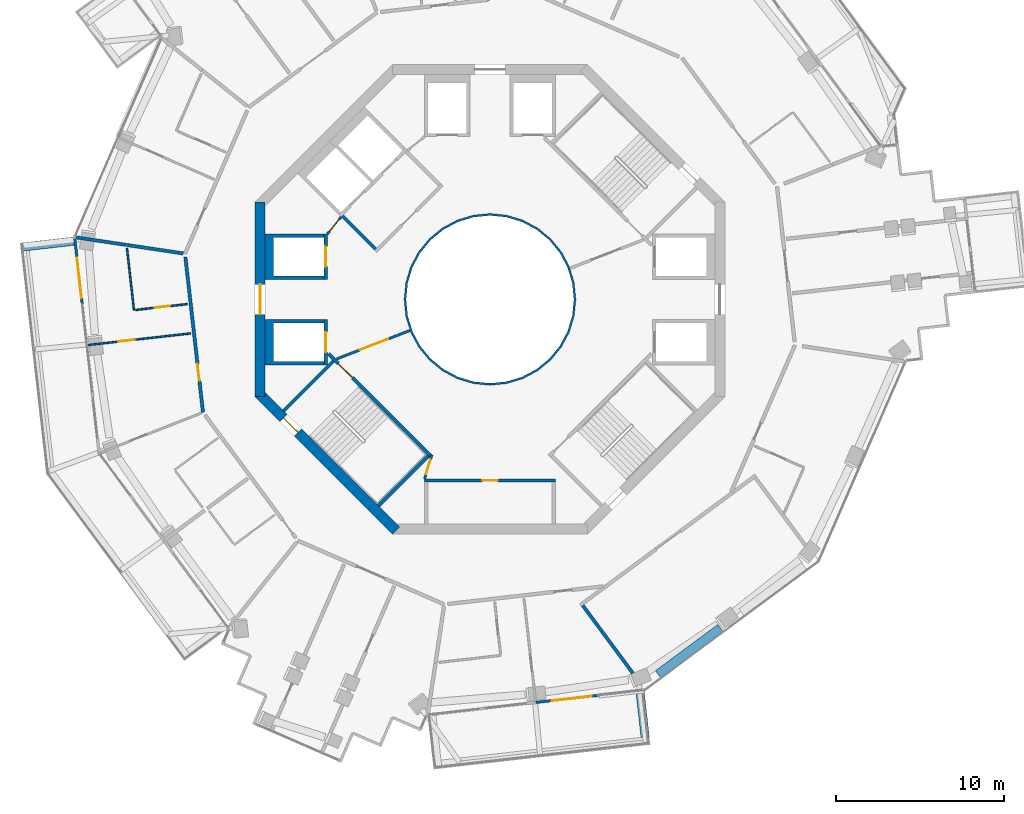
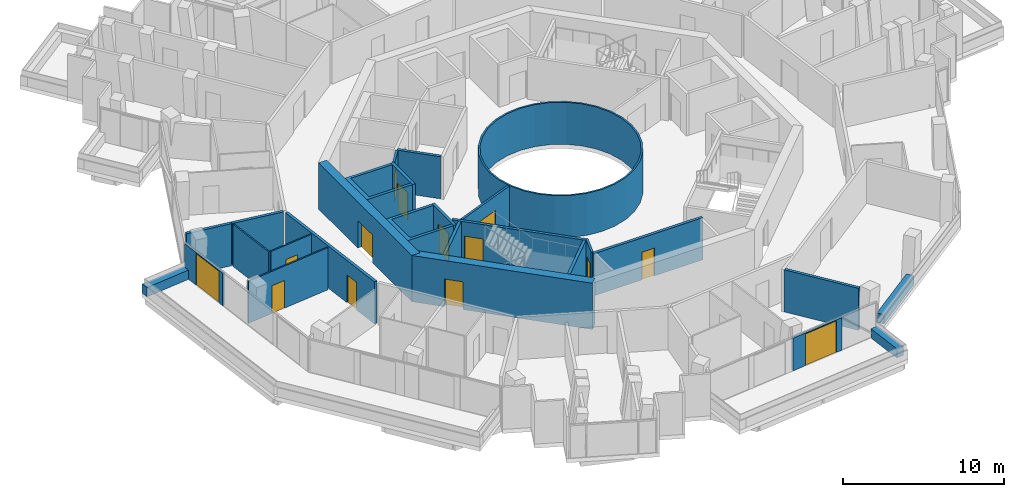
# One storey, part 16 of 23: 27 walls, 14 doors, 14 openings.
"""IFC4 building model written with IfcOpenShell, lengths in metres."""

from ifc_helpers import new_model, si_unit, direction, frame, frame_2d, origin, place, context, subcontext, project, spatial, polyline, rectangle, outline, extrude, material, layer, layer_set, type_object, element, fill, save


model = new_model("IFC4")

# Units and contexts
model_context = context("Model", 3, precision=1e-05, world=origin(), true_north=direction((0.0, 1.0)))
body_context = subcontext(model_context, "Body", "Model", "MODEL_VIEW")
ifc_project = project(units=[si_unit("LENGTHUNIT", "METRE"), si_unit("AREAUNIT", "SQUARE_METRE"), si_unit("VOLUMEUNIT", "CUBIC_METRE"), si_unit("PLANEANGLEUNIT", "RADIAN"), si_unit("MASSUNIT", "GRAM", prefix="KILO")], contexts=[model_context])

# Site, building, storey
site_placement = place(None, origin())
site = spatial("IfcSite", under=ifc_project, at=site_placement, CompositionType="ELEMENT")
building_placement = place(site_placement, origin())
building = spatial("IfcBuilding", under=site, at=building_placement, Name="Verdalira Terraces Hotel", CompositionType="ELEMENT")
storey_placement = place(building_placement, frame((0.0, 0.0, 183.5)))
storey = spatial("IfcBuildingStorey", under=building, at=storey_placement, Name="L44", CompositionType="ELEMENT", Elevation=183.5)

# Walls
ifc_material_1 = material(Name="Fire-resisting glass EI 180", Category="glass")
ifc_layer_1 = layer(ifc_material_1, 0.1201171875)
ifc_layer_set_1 = layer_set([ifc_layer_1], Name="Atrium fire screen 120 mm")
wall_type_1 = type_object("IfcWallType", Name="Atrium fire screen 120 mm", PredefinedType="SOLIDWALL", material=ifc_layer_set_1)
wall_1_placement = place(storey_placement, origin())
element("IfcWall", 1, at=wall_1_placement, inside=storey, type_object=wall_type_1, Name="Atrium fire screen", PredefinedType="SOLIDWALL", context=body_context, shape_type="SweptSolid", body=[
    extrude(outline(polyline([(5.021484, -0.998779), (4.730225, -1.959229), (4.25708, -2.844482), (3.620361, -3.620361), (2.844482, -4.25708), (1.959229, -4.730225), (0.998779, -5.021484), (0.0, -5.120117), (-0.998779, -5.021484), (-1.959229, -4.730225), (-2.844482, -4.25708), (-3.620361, -3.620361), (-4.25708, -2.844482), (-4.730225, -1.959229), (-5.021484, -0.998779), (-5.120117, 0.0), (-5.021484, 0.998779), (-4.730225, 1.959229), (-4.25708, 2.844482), (-3.620361, 3.620361), (-2.844482, 4.25708), (-1.959229, 4.730225), (-0.998779, 5.021484), (0.0, 5.120117), (0.998779, 5.021484), (1.959229, 4.730225), (2.844482, 4.25708), (3.620361, 3.620361), (4.25708, 2.844482), (4.730225, 1.959229), (5.021484, 0.998779), (5.120117, 0.0), (5.021484, -0.998779)]), holes=[polyline([(4.903809, 0.975586), (4.619385, 1.91333), (4.157227, 2.777832), (3.5354, 3.5354), (2.777832, 4.157227), (1.91333, 4.619385), (0.975586, 4.903809), (0.0, 5.0), (-0.975586, 4.903809), (-1.91333, 4.619385), (-2.777832, 4.157227), (-3.5354, 3.5354), (-4.157227, 2.777832), (-4.619385, 1.91333), (-4.903809, 0.975586), (-5.0, 0.0), (-4.903809, -0.975586), (-4.619385, -1.91333), (-4.157227, -2.777832), (-3.5354, -3.5354), (-2.777832, -4.157227), (-1.91333, -4.619385), (-0.975586, -4.903809), (0.0, -5.0), (0.975586, -4.903809), (1.91333, -4.619385), (2.777832, -4.157227), (3.5354, -3.5354), (4.157227, -2.777832), (4.619385, -1.91333), (4.903809, -0.975586), (5.0, 0.0), (4.903809, 0.975586)])]), origin(), (0.0, 0.0, 1.0), 3.189941),
])
ifc_material_2 = material(Name="Concrete C40", Category="concrete")
ifc_layer_2 = layer(ifc_material_2, 0.5)
ifc_layer_set_2 = layer_set([ifc_layer_2], Name="Balcony planter trough with tree")
wall_type_2 = type_object("IfcWallType", Name="Balcony planter trough with tree", PredefinedType="SOLIDWALL", material=ifc_layer_set_2)
wall_2_placement = place(storey_placement, frame((-24.809814, 3.472168, 0.0), z_axis=(0.0, 0.0, 1.0), x_axis=(-0.993617508, -0.112801803, 0.0)))
element("IfcWall", 2, at=wall_2_placement, inside=storey, type_object=wall_type_2, Name="Balcony planter", PredefinedType="SOLIDWALL", context=body_context, shape_type="SweptSolid", body=[
    extrude(rectangle(XDim=3.198975, YDim=0.5, at=frame_2d((1.599609, 0.0))), origin(), (0.0, 0.0, 1.0), 0.699951),
])
wall_3_placement = place(storey_placement, frame((9.252441, -26.080811, 0.0), z_axis=(0.0, 0.0, 1.0), x_axis=(-0.112794004, 0.993618394, 0.0)))
element("IfcWall", 3, at=wall_3_placement, inside=storey, type_object=wall_type_2, Name="Balcony planter", PredefinedType="SOLIDWALL", context=body_context, shape_type="SweptSolid", body=[
    extrude(rectangle(XDim=2.699219, YDim=0.5, at=frame_2d((1.349609, 0.0))), origin(), (0.0, 0.0, 1.0), 0.699951),
])
ifc_material_3 = material(Name="Moisture-resistant gypsum board partition")
ifc_layer_3 = layer(ifc_material_3, 0.10009765625)
ifc_layer_set_3 = layer_set([ifc_layer_3], Name="Bathroom partition 100 mm")
wall_type_3 = type_object("IfcWallType", Name="Bathroom partition 100 mm", PredefinedType="PARTITIONING", material=ifc_layer_set_3)
wall_4_placement = place(storey_placement, frame((-21.639648, 3.039551, 0.0), z_axis=(0.0, 0.0, 1.0), x_axis=(0.11284018, -0.993613151, 0.0)))
element("IfcWall", 4, at=wall_4_placement, inside=storey, type_object=wall_type_3, Name="Bathroom partition", PredefinedType="PARTITIONING", context=body_context, shape_type="SweptSolid", body=[
    extrude(rectangle(XDim=3.704102, YDim=0.100098, at=frame_2d((1.852051, 0.0))), origin(), (0.0, 0.0, 1.0), 3.189941),
])

# Wall, opening, door
wall_5_placement = place(storey_placement, frame((-23.954346, -2.720703, 0.0), z_axis=(0.0, 0.0, 1.0), x_axis=(0.993611124, 0.112858027, 0.0)))
wall_5 = element("IfcWall", 5, at=wall_5_placement, inside=storey, type_object=wall_type_3, Name="Bathroom partition", PredefinedType="PARTITIONING", context=body_context, shape_type="SweptSolid", body=[
    extrude(rectangle(XDim=6.150146, YDim=0.100098, at=frame_2d((3.075195, 0.0))), origin(), (0.0, 0.0, 1.0), 3.189941),
])
opening_1_placement = place(wall_5_placement, frame((1.800049, 0.0, 0.0)))
opening_1 = element("IfcOpeningElement", 6, at=opening_1_placement, cuts=wall_5, Name="Opening L44-108", PredefinedType="OPENING", context=body_context, shape_type="SweptSolid", body=[
    extrude(rectangle(XDim=1.0, YDim=2.100098, at=frame_2d((0.5, 1.050049))), frame((0.0, 0.060059, 0.0), z_axis=(0.0, -1.0, 0.0), x_axis=(1.0, 0.0, 0.0)), (0.0, 0.0, 1.0), 0.120117),
])
ifc_material_4 = material(Name="Timber door", Category="wood")
door_type_1 = type_object("IfcDoorType", Name="Suite internal door 1000 x 2100", OperationType="NOTDEFINED", PredefinedType="DOOR", material=ifc_material_4)
door_1_placement = place(opening_1_placement, origin())
door_1 = element("IfcDoor", 7, at=door_1_placement, inside=storey, type_object=door_type_1, Name="Suite internal door 4403", OperationType="SINGLE_SWING_LEFT", OverallHeight=2.10009765625, OverallWidth=1.0, PredefinedType="DOOR", context=body_context, shape_type="SweptSolid", body=[
    extrude(rectangle(XDim=1.0, YDim=2.100098, at=frame_2d((0.5, 1.050049))), frame((0.0, 0.024902, 0.0), z_axis=(0.0, -1.0, 0.0), x_axis=(1.0, 0.0, 0.0)), (0.0, 0.0, 1.0), 0.050049),
])
fill(opening_1, door_1)

wall_6_placement = place(storey_placement, frame((-21.122314, -0.629395, 0.0), z_axis=(0.0, 0.0, 1.0), x_axis=(0.993611879, 0.112851377, 0.0)))
wall_6 = element("IfcWall", 8, at=wall_6_placement, inside=storey, type_object=wall_type_3, Name="Bathroom partition", PredefinedType="PARTITIONING", context=body_context, shape_type="SweptSolid", body=[
    extrude(rectangle(XDim=3.100098, YDim=0.100098, at=frame_2d((1.550049, 0.0))), origin(), (0.0, 0.0, 1.0), 3.189941),
])
opening_2_placement = place(wall_6_placement, frame((1.149902, 0.0, 0.0)))
opening_2 = element("IfcOpeningElement", 9, at=opening_2_placement, cuts=wall_6, Name="Opening L44-110", PredefinedType="OPENING", context=body_context, shape_type="SweptSolid", body=[
    extrude(rectangle(XDim=0.899902, YDim=2.100098, at=frame_2d((0.449951, 1.050049))), frame((0.0, 0.060059, 0.0), z_axis=(0.0, -1.0, 0.0), x_axis=(1.0, 0.0, 0.0)), (0.0, 0.0, 1.0), 0.120117),
])
ifc_material_5 = material(Name="Timber door", Category="wood")
door_type_2 = type_object("IfcDoorType", Name="Bathroom door 900 x 2100", OperationType="NOTDEFINED", PredefinedType="DOOR", material=ifc_material_5)
door_2_placement = place(opening_2_placement, origin())
door_2 = element("IfcDoor", 10, at=door_2_placement, inside=storey, type_object=door_type_2, Name="Bathroom door 4403", OperationType="SINGLE_SWING_LEFT", OverallHeight=2.10009765625, OverallWidth=0.89990234375, PredefinedType="DOOR", context=body_context, shape_type="SweptSolid", body=[
    extrude(rectangle(XDim=0.899902, YDim=2.100098, at=frame_2d((0.449951, 1.050049))), frame((0.0, 0.024902, 0.0), z_axis=(0.0, -1.0, 0.0), x_axis=(1.0, 0.0, 0.0)), (0.0, 0.0, 1.0), 0.050049),
])
fill(opening_2, door_2)

# Wall
ifc_material_6 = material(Name="Concrete C50", Category="concrete")
ifc_layer_4 = layer(ifc_material_6, 0.199951171875)
ifc_layer_set_4 = layer_set([ifc_layer_4], Name="Core RC wall 200 C50")
wall_type_4 = type_object("IfcWallType", Name="Core RC wall 200 C50", PredefinedType="SOLIDWALL", material=ifc_layer_set_4)
wall_7_placement = place(storey_placement, origin())
element("IfcWall", 11, at=wall_7_placement, inside=storey, type_object=wall_type_4, Name="L44 shaft wall W1", PredefinedType="SOLIDWALL", context=body_context, shape_type="SweptSolid", body=[
    extrude(outline(polyline([(-13.399902, 3.899902), (-9.899902, 3.899902), (-9.899902, 3.699951), (-12.899902, 3.699951), (-12.899902, 1.399902), (-9.899902, 1.399902), (-9.899902, 1.199951), (-13.399902, 1.199951), (-13.399902, 3.899902)])), origin(), (0.0, 0.0, 1.0), 3.189941),
])

# Wall, opening, door
wall_8_placement = place(storey_placement, frame((-9.800049, 1.199951, 0.0), z_axis=(0.0, 0.0, 1.0), x_axis=(0.0, 1.0, 0.0)))
wall_8 = element("IfcWall", 12, at=wall_8_placement, inside=storey, type_object=wall_type_4, Name="L44 shaft front wall W1", PredefinedType="SOLIDWALL", context=body_context, shape_type="SweptSolid", body=[
    extrude(rectangle(XDim=2.699951, YDim=0.199951, at=frame_2d((1.350098, 0.0))), origin(), (0.0, 0.0, 1.0), 3.189941),
])
opening_3_placement = place(wall_8_placement, frame((0.75, 0.0, 0.0)))
opening_3 = element("IfcOpeningElement", 13, at=opening_3_placement, cuts=wall_8, Name="Opening LD-L44-806", PredefinedType="OPENING", context=body_context, shape_type="SweptSolid", body=[
    extrude(rectangle(XDim=1.199951, YDim=2.100098, at=frame_2d((0.600098, 1.050049))), frame((0.0, 0.109863, 0.0), z_axis=(0.0, -1.0, 0.0), x_axis=(1.0, 0.0, 0.0)), (0.0, 0.0, 1.0), 0.219971),
])
ifc_material_7 = material(Name="Stainless steel", Category="steel")
door_type_3 = type_object("IfcDoorType", Name="Landing door 1200 x 2100", OperationType="NOTDEFINED", PredefinedType="DOOR", material=ifc_material_7)
door_3_placement = place(opening_3_placement, origin())
door_3 = element("IfcDoor", 14, at=door_3_placement, inside=storey, type_object=door_type_3, Name="Lift landing door HR5 L44", OperationType="DOUBLE_DOOR_SLIDING", OverallHeight=2.10009765625, OverallWidth=1.199951171875, PredefinedType="DOOR", context=body_context, shape_type="SweptSolid", body=[
    extrude(rectangle(XDim=1.199951, YDim=2.100098, at=frame_2d((0.600098, 1.050049))), frame((0.0, 0.024902, 0.0), z_axis=(0.0, -1.0, 0.0), x_axis=(1.0, 0.0, 0.0)), (0.0, 0.0, 1.0), 0.050049),
])
fill(opening_3, door_3)

# Wall
wall_9_placement = place(storey_placement, origin())
element("IfcWall", 15, at=wall_9_placement, inside=storey, type_object=wall_type_4, Name="L44 shaft wall W2", PredefinedType="SOLIDWALL", context=body_context, shape_type="SweptSolid", body=[
    extrude(outline(polyline([(-13.399902, -3.899902), (-13.399902, -1.199951), (-9.899902, -1.199951), (-9.899902, -1.399902), (-12.899902, -1.399902), (-12.899902, -3.699951), (-9.899902, -3.699951), (-9.899902, -3.899902), (-13.399902, -3.899902)])), origin(), (0.0, 0.0, 1.0), 3.189941),
])

# Wall, opening, door
wall_10_placement = place(storey_placement, frame((-9.800049, -1.199951, 0.0), z_axis=(0.0, 0.0, 1.0), x_axis=(0.0, -1.0, 0.0)))
wall_10 = element("IfcWall", 16, at=wall_10_placement, inside=storey, type_object=wall_type_4, Name="L44 shaft front wall W2", PredefinedType="SOLIDWALL", context=body_context, shape_type="SweptSolid", body=[
    extrude(rectangle(XDim=2.699951, YDim=0.199951, at=frame_2d((1.350098, 0.0))), origin(), (0.0, 0.0, 1.0), 3.189941),
])
opening_4_placement = place(wall_10_placement, frame((0.75, 0.0, 0.0)))
opening_4 = element("IfcOpeningElement", 17, at=opening_4_placement, cuts=wall_10, Name="Opening LD-L44-807", PredefinedType="OPENING", context=body_context, shape_type="SweptSolid", body=[
    extrude(rectangle(XDim=1.199951, YDim=2.100098, at=frame_2d((0.600098, 1.050049))), frame((0.0, 0.109863, 0.0), z_axis=(0.0, -1.0, 0.0), x_axis=(1.0, 0.0, 0.0)), (0.0, 0.0, 1.0), 0.219971),
])
door_4_placement = place(opening_4_placement, origin())
door_4 = element("IfcDoor", 18, at=door_4_placement, inside=storey, type_object=door_type_3, Name="Lift landing door HR6 L44", OperationType="DOUBLE_DOOR_SLIDING", OverallHeight=2.10009765625, OverallWidth=1.199951171875, PredefinedType="DOOR", context=body_context, shape_type="SweptSolid", body=[
    extrude(rectangle(XDim=1.199951, YDim=2.100098, at=frame_2d((0.600098, 1.050049))), frame((0.0, 0.024902, 0.0), z_axis=(0.0, -1.0, 0.0), x_axis=(1.0, 0.0, 0.0)), (0.0, 0.0, 1.0), 0.050049),
])
fill(opening_4, door_4)

wall_11_placement = place(storey_placement, frame((-3.899902, -10.800049, 0.0), z_axis=(0.0, 0.0, 1.0), x_axis=(1.0, 0.0, 0.0)))
wall_11 = element("IfcWall", 19, at=wall_11_placement, inside=storey, type_object=wall_type_4, Name="L44 store front wall", PredefinedType="SOLIDWALL", context=body_context, shape_type="SweptSolid", body=[
    extrude(rectangle(XDim=7.799805, YDim=0.199951, at=frame_2d((3.899902, 0.0))), origin(), (0.0, 0.0, 1.0), 3.189941),
])
opening_5_placement = place(wall_11_placement, frame((3.449951, 0.0, 0.0)))
opening_5 = element("IfcOpeningElement", 20, at=opening_5_placement, cuts=wall_11, Name="Opening L44-801", PredefinedType="OPENING", context=body_context, shape_type="SweptSolid", body=[
    extrude(rectangle(XDim=0.899902, YDim=2.100098, at=frame_2d((0.449951, 1.050049))), frame((0.0, 0.109863, 0.0), z_axis=(0.0, -1.0, 0.0), x_axis=(1.0, 0.0, 0.0)), (0.0, 0.0, 1.0), 0.219971),
])
ifc_material_8 = material(Name="Steel fire door", Category="steel")
door_type_4 = type_object("IfcDoorType", Name="Core room door 900 x 2100", OperationType="NOTDEFINED", PredefinedType="DOOR", material=ifc_material_8)
door_5_placement = place(opening_5_placement, origin())
door_5 = element("IfcDoor", 21, at=door_5_placement, inside=storey, type_object=door_type_4, Name="Store door L44 SS", OperationType="SINGLE_SWING_LEFT", OverallHeight=2.10009765625, OverallWidth=0.89990234375, PredefinedType="DOOR", context=body_context, shape_type="SweptSolid", body=[
    extrude(rectangle(XDim=0.899902, YDim=2.100098, at=frame_2d((0.449951, 1.050049))), frame((0.0, 0.024902, 0.0), z_axis=(0.0, -1.0, 0.0), x_axis=(1.0, 0.0, 0.0)), (0.0, 0.0, 1.0), 0.050049),
])
fill(opening_5, door_5)

wall_12_placement = place(storey_placement, frame((-3.5354, -9.33374, 0.0), z_axis=(0.0, 0.0, 1.0), x_axis=(-0.707120946, 0.707092617, 0.0)))
wall_12 = element("IfcWall", 22, at=wall_12_placement, inside=storey, type_object=wall_type_4, Name="L44 stair ST2 front wall", PredefinedType="SOLIDWALL", context=body_context, shape_type="SweptSolid", body=[
    extrude(rectangle(XDim=8.61792, YDim=0.199951, at=frame_2d((4.309082, 0.0))), origin(), (0.0, 0.0, 1.0), 3.189941),
])
opening_6_placement = place(wall_12_placement, frame((6.600098, 0.0, 0.0)))
opening_6 = element("IfcOpeningElement", 23, at=opening_6_placement, cuts=wall_12, Name="Opening L44-811", PredefinedType="OPENING", context=body_context, shape_type="SweptSolid", body=[
    extrude(rectangle(XDim=1.199951, YDim=2.100098, at=frame_2d((0.600098, 1.050049))), frame((0.0, 0.109863, 0.0), z_axis=(0.0, -1.0, 0.0), x_axis=(1.0, 0.0, 0.0)), (0.0, 0.0, 1.0), 0.219971),
])
ifc_material_9 = material(Name="Steel fire door", Category="steel")
door_type_5 = type_object("IfcDoorType", Name="Stair door 1200 x 2100", OperationType="NOTDEFINED", PredefinedType="DOOR", material=ifc_material_9)
door_6_placement = place(opening_6_placement, origin())
door_6 = element("IfcDoor", 24, at=door_6_placement, inside=storey, type_object=door_type_5, Name="Stair door ST2 L44", OperationType="SINGLE_SWING_RIGHT", OverallHeight=2.10009765625, OverallWidth=1.199951171875, PredefinedType="DOOR", context=body_context, shape_type="SweptSolid", body=[
    extrude(rectangle(XDim=1.199951, YDim=2.100098, at=frame_2d((0.600098, 1.050049))), frame((0.0, 0.024902, 0.0), z_axis=(0.0, -1.0, 0.0), x_axis=(1.0, 0.0, 0.0)), (0.0, 0.0, 1.0), 0.050049),
])
fill(opening_6, door_6)

# Walls
for number, where, z_axis, x_axis, name in (
    (25, (-9.33374, -3.677002, 0.0), (0.0, 0.0, 1.0), (-0.707135845, -0.707077716, 0.0), "L44 stair ST2 end wall 1"),
    (26, (-3.677002, -9.33374, 0.0), (0.0, 0.0, 1.0), (-0.707077716, -0.707135845, 0.0), "L44 stair ST2 end wall 2"),
):
    element("IfcWall", number, at=place(storey_placement, frame(where, z_axis=z_axis, x_axis=x_axis)), inside=storey, type_object=wall_type_4, Name=name, PredefinedType="SOLIDWALL", context=body_context, shape_type="SweptSolid", body=[
        extrude(rectangle(XDim=4.199951, YDim=0.199951, at=frame_2d((2.100098, 0.0))), origin(), (0.0, 0.0, 1.0), 3.189941),
    ])
wall_13_placement = place(storey_placement, frame((-6.823486, 3.005127, 0.0), z_axis=(0.0, 0.0, 1.0), x_axis=(-0.707106781, 0.707106781, 0.0)))
element("IfcWall", 27, at=wall_13_placement, inside=storey, type_object=wall_type_4, Name="L44 fire lobby wall", PredefinedType="SOLIDWALL", context=body_context, shape_type="SweptSolid", body=[
    extrude(rectangle(XDim=2.800049, YDim=0.199951, at=frame_2d((1.399902, 0.0))), origin(), (0.0, 0.0, 1.0), 3.189941),
])

# Wall, opening, door
ifc_material_10 = material(Name="Gypsum board partition")
ifc_layer_5 = layer(ifc_material_10, 0.14990234375)
ifc_layer_set_5 = layer_set([ifc_layer_5], Name="Core partition 150 mm")
wall_type_5 = type_object("IfcWallType", Name="Core partition 150 mm", PredefinedType="PARTITIONING", material=ifc_layer_set_5)
wall_14_placement = place(storey_placement, frame((-8.874268, 4.914307, 0.0), z_axis=(0.0, 0.0, 1.0), x_axis=(-0.631274009, -0.775559878, 0.0)))
wall_14 = element("IfcWall", 28, at=wall_14_placement, inside=storey, type_object=wall_type_5, Name="Room partition L44", PredefinedType="PARTITIONING", context=body_context, shape_type="SweptSolid", body=[
    extrude(rectangle(XDim=1.307861, YDim=0.149902, at=frame_2d((0.653809, 0.0))), origin(), (0.0, 0.0, 1.0), 3.189941),
])
opening_7_placement = place(wall_14_placement, frame((0.204102, 0.0, 0.0)))
opening_7 = element("IfcOpeningElement", 29, at=opening_7_placement, cuts=wall_14, Name="Opening L44-821", PredefinedType="OPENING", context=body_context, shape_type="SweptSolid", body=[
    extrude(rectangle(XDim=0.899902, YDim=2.100098, at=frame_2d((0.449951, 1.050049))), frame((0.0, 0.084961, 0.0), z_axis=(0.0, -1.0, 0.0), x_axis=(1.0, 0.0, 0.0)), (0.0, 0.0, 1.0), 0.169922),
])
door_7_placement = place(opening_7_placement, origin())
door_7 = element("IfcDoor", 30, at=door_7_placement, inside=storey, type_object=door_type_4, Name="Door L44 room3", OperationType="SINGLE_SWING_LEFT", OverallHeight=2.10009765625, OverallWidth=0.89990234375, PredefinedType="DOOR", context=body_context, shape_type="SweptSolid", body=[
    extrude(rectangle(XDim=0.899902, YDim=2.100098, at=frame_2d((0.449951, 1.050049))), frame((0.0, 0.024902, 0.0), z_axis=(0.0, -1.0, 0.0), x_axis=(1.0, 0.0, 0.0)), (0.0, 0.0, 1.0), 0.050049),
])
fill(opening_7, door_7)

wall_15_placement = place(storey_placement, frame((-3.464844, -9.263184, 0.0), z_axis=(0.0, 0.0, 1.0), x_axis=(-0.289808785, -0.957084567, 0.0)))
wall_15 = element("IfcWall", 31, at=wall_15_placement, inside=storey, type_object=wall_type_5, Name="Room partition L44", PredefinedType="PARTITIONING", context=body_context, shape_type="SweptSolid", body=[
    extrude(rectangle(XDim=1.501221, YDim=0.149902, at=frame_2d((0.750488, 0.0))), origin(), (0.0, 0.0, 1.0), 3.189941),
])
opening_8_placement = place(wall_15_placement, frame((0.300781, 0.0, 0.0)))
opening_8 = element("IfcOpeningElement", 32, at=opening_8_placement, cuts=wall_15, Name="Opening L44-822", PredefinedType="OPENING", context=body_context, shape_type="SweptSolid", body=[
    extrude(rectangle(XDim=0.899902, YDim=2.100098, at=frame_2d((0.449951, 1.050049))), frame((0.0, 0.084961, 0.0), z_axis=(0.0, -1.0, 0.0), x_axis=(1.0, 0.0, 0.0)), (0.0, 0.0, 1.0), 0.169922),
])
door_8_placement = place(opening_8_placement, origin())
door_8 = element("IfcDoor", 33, at=door_8_placement, inside=storey, type_object=door_type_4, Name="Door L44 room5", OperationType="SINGLE_SWING_LEFT", OverallHeight=2.10009765625, OverallWidth=0.89990234375, PredefinedType="DOOR", context=body_context, shape_type="SweptSolid", body=[
    extrude(rectangle(XDim=0.899902, YDim=2.100098, at=frame_2d((0.449951, 1.050049))), frame((0.0, 0.024902, 0.0), z_axis=(0.0, -1.0, 0.0), x_axis=(1.0, 0.0, 0.0)), (0.0, 0.0, 1.0), 0.050049),
])
fill(opening_8, door_8)

wall_16_placement = place(storey_placement, frame((-4.781982, -1.857178, 0.0), z_axis=(0.0, 0.0, 1.0), x_axis=(-0.932157474, -0.362053096, 0.0)))
wall_16 = element("IfcWall", 34, at=wall_16_placement, inside=storey, type_object=wall_type_5, Name="Gallery fire partition L44", PredefinedType="PARTITIONING", context=body_context, shape_type="SweptSolid", body=[
    extrude(rectangle(XDim=4.675049, YDim=0.149902, at=frame_2d((2.337402, 0.0))), origin(), (0.0, 0.0, 1.0), 3.189941),
])
opening_9_placement = place(wall_16_placement, frame((1.399902, 0.0, 0.0)))
opening_9 = element("IfcOpeningElement", 35, at=opening_9_placement, cuts=wall_16, Name="Opening L44-824", PredefinedType="OPENING", context=body_context, shape_type="SweptSolid", body=[
    extrude(rectangle(XDim=1.800049, YDim=2.100098, at=frame_2d((0.899902, 1.050049))), frame((0.0, 0.084961, 0.0), z_axis=(0.0, -1.0, 0.0), x_axis=(1.0, 0.0, 0.0)), (0.0, 0.0, 1.0), 0.169922),
])
ifc_material_11 = material(Name="Steel fire door", Category="steel")
door_type_6 = type_object("IfcDoorType", Name="Gallery fire door pair 1800 x 2100", OperationType="NOTDEFINED", PredefinedType="DOOR", material=ifc_material_11)
door_9_placement = place(opening_9_placement, origin())
door_9 = element("IfcDoor", 36, at=door_9_placement, inside=storey, type_object=door_type_6, Name="Door L44 split4", OperationType="DOUBLE_DOOR_SINGLE_SWING", OverallHeight=2.10009765625, OverallWidth=1.800048828125, PredefinedType="DOOR", context=body_context, shape_type="SweptSolid", body=[
    extrude(rectangle(XDim=1.800049, YDim=2.100098, at=frame_2d((0.899902, 1.050049))), frame((0.0, 0.024902, 0.0), z_axis=(0.0, -1.0, 0.0), x_axis=(1.0, 0.0, 0.0)), (0.0, 0.0, 1.0), 0.050049),
])
fill(opening_9, door_9)

ifc_material_12 = material(Name="Concrete C60", Category="concrete")
ifc_layer_6 = layer(ifc_material_12, 0.60009765625)
ifc_layer_set_6 = layer_set([ifc_layer_6], Name="Core wall 600 C60")
wall_type_6 = type_object("IfcWallType", Name="Core wall 600 C60", PredefinedType="SHEAR", material=ifc_layer_set_6)
wall_17_placement = place(storey_placement, frame((-13.699951, 5.799072, 0.0), z_axis=(0.0, 0.0, 1.0), x_axis=(0.0, -1.0, 0.0)))
wall_17 = element("IfcWall", 37, at=wall_17_placement, inside=storey, type_object=wall_type_6, Name="Core wall CW-L44-5", PredefinedType="SHEAR", context=body_context, shape_type="SweptSolid", body=[
    extrude(rectangle(XDim=11.598145, YDim=0.600098, at=frame_2d((5.799072, 0.0))), origin(), (0.0, 0.0, 1.0), 3.5),
])
opening_10_placement = place(wall_17_placement, frame((4.898926, 0.0, 0.0)))
opening_10 = element("IfcOpeningElement", 38, at=opening_10_placement, cuts=wall_17, Name="Opening L44-815", PredefinedType="OPENING", context=body_context, shape_type="SweptSolid", body=[
    extrude(rectangle(XDim=1.800049, YDim=2.100098, at=frame_2d((0.899902, 1.050049))), frame((0.0, 0.310059, 0.0), z_axis=(0.0, -1.0, 0.0), x_axis=(1.0, 0.0, 0.0)), (0.0, 0.0, 1.0), 0.620117),
])
ifc_material_13 = material(Name="Steel fire door", Category="steel")
door_type_7 = type_object("IfcDoorType", Name="Core entry door pair 1800 x 2100", OperationType="NOTDEFINED", PredefinedType="DOOR", material=ifc_material_13)
door_10_placement = place(opening_10_placement, origin())
door_10 = element("IfcDoor", 39, at=door_10_placement, inside=storey, type_object=door_type_7, Name="Core entry door L44 4", OperationType="DOUBLE_DOOR_SINGLE_SWING", OverallHeight=2.10009765625, OverallWidth=1.800048828125, PredefinedType="DOOR", context=body_context, shape_type="SweptSolid", body=[
    extrude(rectangle(XDim=1.800049, YDim=2.100098, at=frame_2d((0.899902, 1.050049))), frame((0.0, 0.024902, 0.0), z_axis=(0.0, -1.0, 0.0), x_axis=(1.0, 0.0, 0.0)), (0.0, 0.0, 1.0), 0.050049),
])
fill(opening_10, door_10)

wall_18_placement = place(storey_placement, frame((-13.787842, -5.586914, 0.0), z_axis=(0.0, 0.0, 1.0), x_axis=(0.707106781, -0.707106781, 0.0)))
wall_18 = element("IfcWall", 40, at=wall_18_placement, inside=storey, type_object=wall_type_6, Name="Core wall CW-L44-6", PredefinedType="SHEAR", context=body_context, shape_type="SweptSolid", body=[
    extrude(rectangle(XDim=11.5979, YDim=0.600098, at=frame_2d((5.798828, 0.0))), origin(), (0.0, 0.0, 1.0), 3.5),
])
opening_11_placement = place(wall_18_placement, frame((2.099121, 0.0, 0.0)))
opening_11 = element("IfcOpeningElement", 41, at=opening_11_placement, cuts=wall_18, Name="Opening L44-817", PredefinedType="OPENING", context=body_context, shape_type="SweptSolid", body=[
    extrude(rectangle(XDim=1.199951, YDim=2.100098, at=frame_2d((0.600098, 1.050049))), frame((0.0, 0.310059, 0.0), z_axis=(0.0, -1.0, 0.0), x_axis=(1.0, 0.0, 0.0)), (0.0, 0.0, 1.0), 0.620117),
])
door_11_placement = place(opening_11_placement, origin())
door_11 = element("IfcDoor", 42, at=door_11_placement, inside=storey, type_object=door_type_5, Name="Stair exit door ST2 L44", OperationType="SINGLE_SWING_LEFT", OverallHeight=2.10009765625, OverallWidth=1.199951171875, PredefinedType="DOOR", context=body_context, shape_type="SweptSolid", body=[
    extrude(rectangle(XDim=1.199951, YDim=2.100098, at=frame_2d((0.600098, 1.050049))), frame((0.0, 0.024902, 0.0), z_axis=(0.0, -1.0, 0.0), x_axis=(1.0, 0.0, 0.0)), (0.0, 0.0, 1.0), 0.050049),
])
fill(opening_11, door_11)

# Walls
ifc_material_14 = material(Name="Fire-rated gypsum board wall")
ifc_layer_7 = layer(ifc_material_14, 0.199951171875)
ifc_layer_set_7 = layer_set([ifc_layer_7], Name="Demising wall 200 mm")
wall_type_7 = type_object("IfcWallType", Name="Demising wall 200 mm", PredefinedType="SOLIDWALL", material=ifc_layer_set_7)
wall_19_placement = place(storey_placement, frame((-21.710449, 3.252441, 0.0), z_axis=(0.0, 0.0, 1.0), x_axis=(-0.988970222, 0.148114484, 0.0)))
element("IfcWall", 43, at=wall_19_placement, inside=storey, type_object=wall_type_7, Name="Demising wall", PredefinedType="SOLIDWALL", context=body_context, shape_type="SweptSolid", body=[
    extrude(rectangle(XDim=3.011475, YDim=0.199951, at=frame_2d((1.505859, 0.0))), origin(), (0.0, 0.0, 1.0), 3.189941),
])
wall_20_placement = place(storey_placement, frame((-18.28418, 2.739014, 0.0), z_axis=(0.0, 0.0, 1.0), x_axis=(-0.988959389, 0.148186795, 0.0)))
element("IfcWall", 44, at=wall_20_placement, inside=storey, type_object=wall_type_7, Name="Demising wall", PredefinedType="SOLIDWALL", context=body_context, shape_type="SweptSolid", body=[
    extrude(rectangle(XDim=3.418701, YDim=0.199951, at=frame_2d((1.709473, 0.0))), origin(), (0.0, 0.0, 1.0), 3.189941),
])

# Wall, opening, door
ifc_material_15 = material(Name="Fire-rated gypsum board wall")
ifc_layer_8 = layer(ifc_material_15, 0.199951171875)
ifc_layer_set_8 = layer_set([ifc_layer_8], Name="Guest corridor wall 200 mm")
wall_type_8 = type_object("IfcWallType", Name="Guest corridor wall 200 mm", PredefinedType="SOLIDWALL", material=ifc_layer_set_8)
wall_21_placement = place(storey_placement, frame((-17.10791, -6.732178, 0.0), z_axis=(0.0, 0.0, 1.0), x_axis=(-0.112835605, 0.993613671, 0.0)))
wall_21 = element("IfcWall", 45, at=wall_21_placement, inside=storey, type_object=wall_type_8, Name="Guest corridor wall", PredefinedType="SOLIDWALL", context=body_context, shape_type="SweptSolid", body=[
    extrude(rectangle(XDim=9.316895, YDim=0.199951, at=frame_2d((4.658447, 0.0))), origin(), (0.0, 0.0, 1.0), 3.189941),
])
opening_12_placement = place(wall_21_placement, frame((1.899902, 0.0, 0.0)))
opening_12 = element("IfcOpeningElement", 46, at=opening_12_placement, cuts=wall_21, Name="Opening L44-107", PredefinedType="OPENING", context=body_context, shape_type="SweptSolid", body=[
    extrude(rectangle(XDim=1.0, YDim=2.100098, at=frame_2d((0.5, 1.050049))), frame((0.0, 0.109863, 0.0), z_axis=(0.0, -1.0, 0.0), x_axis=(1.0, 0.0, 0.0)), (0.0, 0.0, 1.0), 0.219971),
])
ifc_material_16 = material(Name="Timber fire door", Category="wood")
door_type_8 = type_object("IfcDoorType", Name="Guest entry door 1000 x 2100", OperationType="NOTDEFINED", PredefinedType="DOOR", material=ifc_material_16)
door_12_placement = place(opening_12_placement, origin())
door_12 = element("IfcDoor", 47, at=door_12_placement, inside=storey, type_object=door_type_8, Name="Guest entry door 4403", OperationType="SINGLE_SWING_LEFT", OverallHeight=2.10009765625, OverallWidth=1.0, PredefinedType="DOOR", context=body_context, shape_type="SweptSolid", body=[
    extrude(rectangle(XDim=1.0, YDim=2.100098, at=frame_2d((0.5, 1.050049))), frame((0.0, 0.024902, 0.0), z_axis=(0.0, -1.0, 0.0), x_axis=(1.0, 0.0, 0.0)), (0.0, 0.0, 1.0), 0.050049),
])
fill(opening_12, door_12)

# Walls
ifc_material_17 = material(Name="Terracotta cladding", Category="masonry")
ifc_layer_9 = layer(ifc_material_17, 0.199951171875)
ifc_layer_set_9 = layer_set([ifc_layer_9], Name="Loggia back wall 200")
wall_type_9 = type_object("IfcWallType", Name="Loggia back wall 200", PredefinedType="SOLIDWALL", material=ifc_layer_set_9)
wall_22_placement = place(storey_placement, frame((8.516113, -22.281738, 0.0), z_axis=(0.0, 0.0, 1.0), x_axis=(-0.594540077, 0.804065978, 0.0)))
element("IfcWall", 48, at=wall_22_placement, inside=storey, type_object=wall_type_9, Name="Loggia side wall", PredefinedType="SOLIDWALL", context=body_context, shape_type="SweptSolid", body=[
    extrude(rectangle(XDim=5.020752, YDim=0.199951, at=frame_2d((2.510254, 0.0))), origin(), (0.0, 0.0, 1.0), 3.189941),
])
ifc_material_18 = material(Name="Concrete C40", Category="concrete")
ifc_layer_10 = layer(ifc_material_18, 0.5)
ifc_layer_set_10 = layer_set([ifc_layer_10], Name="Loggia planter trough with tree")
wall_type_10 = type_object("IfcWallType", Name="Loggia planter trough with tree", PredefinedType="SOLIDWALL", material=ifc_layer_set_10)
wall_23_placement = place(storey_placement, frame((10.007324, -22.334717, 0.0), z_axis=(0.0, 0.0, 1.0), x_axis=(0.804073174, 0.594530345, 0.0)))
element("IfcWall", 49, at=wall_23_placement, inside=storey, type_object=wall_type_10, Name="Loggia planter", PredefinedType="SOLIDWALL", context=body_context, shape_type="SweptSolid", body=[
    extrude(rectangle(XDim=4.632568, YDim=0.5, at=frame_2d((2.316406, 0.0))), origin(), (0.0, 0.0, 1.0), 0.699951),
])

# Wall, opening, door
ifc_material_19 = material(Name="Terracotta cladding", Category="masonry")
ifc_layer_11 = layer(ifc_material_19, 0.14990234375)
ifc_layer_set_11 = layer_set([ifc_layer_11], Name="Terracotta door pier 150")
wall_type_11 = type_object("IfcWallType", Name="Terracotta door pier 150", PredefinedType="SOLIDWALL", material=ifc_layer_set_11)
wall_24_placement = place(storey_placement, frame((-24.750977, 3.629639, 0.0), z_axis=(0.0, 0.0, 1.0), x_axis=(0.112801985, -0.993617488, 0.0)))
wall_24 = element("IfcWall", 50, at=wall_24_placement, inside=storey, type_object=wall_type_11, Name="Terracotta door pier", PredefinedType="SOLIDWALL", context=body_context, shape_type="SweptSolid", body=[
    extrude(rectangle(XDim=3.967285, YDim=0.149902, at=frame_2d((1.983643, 0.0))), origin(), (0.0, 0.0, 1.0), 2.475098),
])
opening_13_placement = place(wall_24_placement, frame((1.167236, 0.0, 0.0)))
opening_13 = element("IfcOpeningElement", 51, at=opening_13_placement, cuts=wall_24, Name="Opening L44-B04", PredefinedType="OPENING", context=body_context, shape_type="SweptSolid", body=[
    extrude(rectangle(XDim=2.399902, YDim=2.399902, at=frame_2d((1.199951, 1.199951))), frame((0.0, 0.084961, 0.0), z_axis=(0.0, -1.0, 0.0), x_axis=(1.0, 0.0, 0.0)), (0.0, 0.0, 1.0), 0.169922),
])
ifc_material_20 = material(Name="Clear glass", Category="glass")
door_type_9 = type_object("IfcDoorType", Name="Balcony sliding door 2400x2400", OperationType="NOTDEFINED", PredefinedType="DOOR", material=ifc_material_20)
door_13_placement = place(opening_13_placement, origin())
door_13 = element("IfcDoor", 52, at=door_13_placement, inside=storey, type_object=door_type_9, Name="Balcony sliding door", OperationType="SLIDING_TO_LEFT", OverallHeight=2.39990234375, OverallWidth=2.39990234375, PredefinedType="DOOR", context=body_context, shape_type="SweptSolid", body=[
    extrude(rectangle(XDim=2.399902, YDim=2.399902, at=frame_2d((1.199951, 1.199951))), frame((0.0, 0.024902, 0.0), z_axis=(0.0, -1.0, 0.0), x_axis=(1.0, 0.0, 0.0)), (0.0, 0.0, 1.0), 0.050049),
])
fill(opening_13, door_13)

wall_25_placement = place(storey_placement, frame((2.729248, -24.028809, 0.0), z_axis=(0.0, 0.0, 1.0), x_axis=(0.993609226, 0.112874735, 0.0)))
wall_25 = element("IfcWall", 53, at=wall_25_placement, inside=storey, type_object=wall_type_11, Name="Terracotta door pier", PredefinedType="SOLIDWALL", context=body_context, shape_type="SweptSolid", body=[
    extrude(rectangle(XDim=3.76123, YDim=0.149902, at=frame_2d((1.880615, 0.0))), origin(), (0.0, 0.0, 1.0), 2.475098),
])
opening_14_placement = place(wall_25_placement, frame((0.961182, 0.0, 0.0)))
opening_14 = element("IfcOpeningElement", 54, at=opening_14_placement, cuts=wall_25, Name="Opening L44-B09", PredefinedType="OPENING", context=body_context, shape_type="SweptSolid", body=[
    extrude(rectangle(XDim=2.399902, YDim=2.399902, at=frame_2d((1.199951, 1.199951))), frame((0.0, 0.084961, 0.0), z_axis=(0.0, -1.0, 0.0), x_axis=(1.0, 0.0, 0.0)), (0.0, 0.0, 1.0), 0.169922),
])
door_14_placement = place(opening_14_placement, origin())
door_14 = element("IfcDoor", 55, at=door_14_placement, inside=storey, type_object=door_type_9, Name="Balcony sliding door", OperationType="SLIDING_TO_LEFT", OverallHeight=2.39990234375, OverallWidth=2.39990234375, PredefinedType="DOOR", context=body_context, shape_type="SweptSolid", body=[
    extrude(rectangle(XDim=2.399902, YDim=2.399902, at=frame_2d((1.199951, 1.199951))), frame((0.0, 0.024902, 0.0), z_axis=(0.0, -1.0, 0.0), x_axis=(1.0, 0.0, 0.0)), (0.0, 0.0, 1.0), 0.050049),
])
fill(opening_14, door_14)

save(model, "model.ifc")
